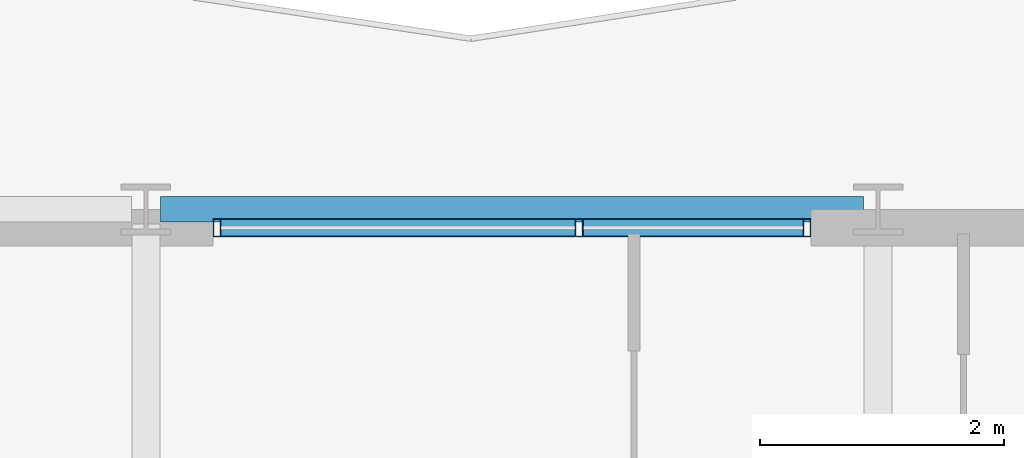
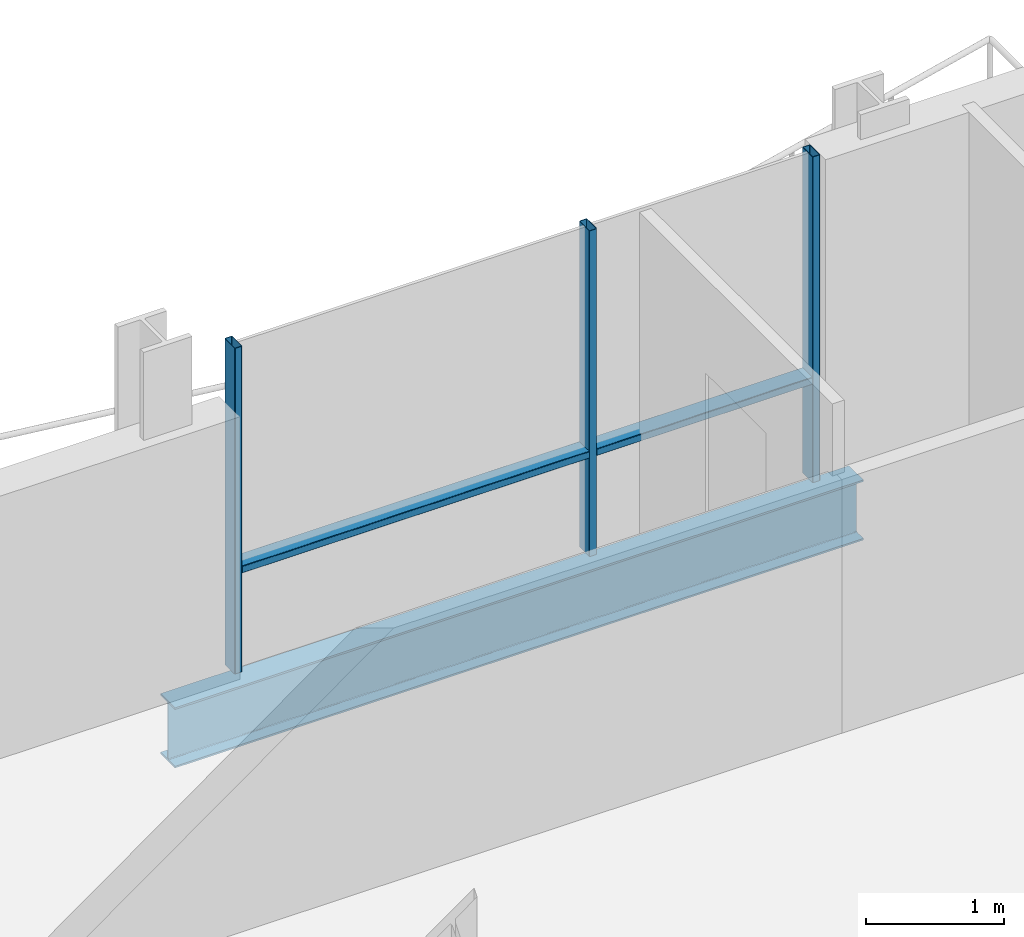
# One storey, part 26 of 41: 5 members, 1 beam, 1 element without a shape of its own.
"""IFC4 building model written with IfcOpenShell, lengths in metres."""

from ifc_helpers import new_model, si_unit, direction, frame, origin, origin_2d, place, context, subcontext, project, spatial, hollow_rectangle, i_section, extrude, material, layer, layer_set, material_profile, profile_set, type_object, element, aggregate, save


model = new_model("IFC4")

# Units and contexts
model_context = context("Model", 3, precision=1e-05, world=origin(), true_north=direction((0.0, 1.0)))
body_context = subcontext(model_context, "Body", "Model", "MODEL_VIEW")
ifc_project = project(units=[si_unit("LENGTHUNIT", "METRE"), si_unit("AREAUNIT", "SQUARE_METRE"), si_unit("VOLUMEUNIT", "CUBIC_METRE"), si_unit("PLANEANGLEUNIT", "RADIAN"), si_unit("MASSUNIT", "GRAM", prefix="KILO")], contexts=[model_context])

# Site, building, storey
site_placement = place(None, origin())
site = spatial("IfcSite", under=ifc_project, at=site_placement, CompositionType="ELEMENT")
building_placement = place(site_placement, origin())
building = spatial("IfcBuilding", under=site, at=building_placement, Name="Brevholm Reach", CompositionType="ELEMENT")
storey_placement = place(building_placement, frame((0.0, 0.0, 144.89990234375)))
storey = spatial("IfcBuildingStorey", under=building, at=storey_placement, Name="L43", CompositionType="ELEMENT", Elevation=144.89990234375)

# Beam
ifc_material_1 = material(Name="Structural Steel S355J2", Category="steel")
ifc_material_profile_1 = material_profile(ifc_material_1, i_section(OverallWidth=0.209228515625, OverallDepth=0.533203125, WebThickness=0.010009765625, FlangeThickness=0.015625, FilletRadius=0.0126953125, at=origin_2d()), Name="UKB 533x210x92")
ifc_profile_set_1 = profile_set([ifc_material_profile_1], Name="Structural Steel S355J2")
beam_type = type_object("IfcBeamType", Name="BM-SP533", PredefinedType="SPANDREL", material=ifc_profile_set_1)
beam_placement = place(storey_placement, frame((48.1201171875, 31.0, -0.486572265625), z_axis=(1.0, 0.0, 0.0), x_axis=(0.0, 1.0, 0.0)))
element("IfcBeam", 1, at=beam_placement, inside=storey, type_object=beam_type, Name="L43 SP-02 Framing Beam", PredefinedType="SPANDREL", context=body_context, shape_type="SweptSolid", body=[
    extrude(i_section(OverallWidth=0.209228515625, OverallDepth=0.533203125, WebThickness=0.010009765625, FlangeThickness=0.015625, FilletRadius=0.0126953125, at=origin_2d()), origin(), (0.0, 0.0, 1.0), 5.759765625),
])

# Curtain wall, members
ifc_material_2 = material(Name="Dark Anodised Aluminium 6063-T6 and Solar-Control Glass", Category="aluminium")
ifc_layer = layer(ifc_material_2, 0.14990234375)
ifc_layer_set = layer_set([ifc_layer], Name="Dark Anodised Aluminium 6063-T6 and Solar-Control Glass")
curtain_wall_type = type_object("IfcCurtainWallType", Name="CW-01", PredefinedType="NOTDEFINED", material=ifc_layer_set)
curtain_wall_placement = place(storey_placement, origin())
curtain_wall = element("IfcCurtainWall", 2, at=curtain_wall_placement, inside=storey, type_object=curtain_wall_type, Name="L43 Curtain Wall CW-01", PredefinedType="NOTDEFINED")
ifc_material_3 = material(Name="Dark Anodised Aluminium 6063-T6", Category="aluminium")
ifc_material_profile_2 = material_profile(ifc_material_3, hollow_rectangle(XDim=0.06494140625, YDim=0.14990234375, WallThickness=0.0048828125, InnerFilletRadius=0.0048828125, OuterFilletRadius=0.010009765625, at=origin_2d()), Name="RHS 150x65x5")
ifc_profile_set_2 = profile_set([ifc_material_profile_2], Name="Dark Anodised Aluminium 6063-T6")
member_type_1 = type_object("IfcMemberType", Name="CWM-150", PredefinedType="MULLION", material=ifc_profile_set_2)
member_1_placement = place(storey_placement, frame((48.58251953125, 30.85009765625, 0.0), z_axis=(0.0, 0.0, 1.0), x_axis=(1.0, 0.0, 0.0)))
member_1 = element("IfcMember", 3, at=member_1_placement, type_object=member_type_1, Name="CM-150 Mullion 1", PredefinedType="MULLION", context=body_context, shape_type="SweptSolid", body=[
    extrude(hollow_rectangle(XDim=0.06494140625, YDim=0.14990234375, WallThickness=0.0048828125, InnerFilletRadius=0.0048828125, OuterFilletRadius=0.010009765625, at=origin_2d()), origin(), (0.0, 0.0, 1.0), 2.880126953125),
])
member_2_placement = place(storey_placement, frame((51.550048828125, 30.85009765625, 0.0), z_axis=(0.0, 0.0, 1.0), x_axis=(1.0, 0.0, 0.0)))
member_2 = element("IfcMember", 4, at=member_2_placement, type_object=member_type_1, Name="CM-150 Mullion 2", PredefinedType="MULLION", context=body_context, shape_type="SweptSolid", body=[
    extrude(hollow_rectangle(XDim=0.06494140625, YDim=0.14990234375, WallThickness=0.0048828125, InnerFilletRadius=0.0048828125, OuterFilletRadius=0.010009765625, at=origin_2d()), origin(), (0.0, 0.0, 1.0), 2.880126953125),
])
member_3_placement = place(storey_placement, frame((53.41748046875, 30.85009765625, 0.0), z_axis=(0.0, 0.0, 1.0), x_axis=(1.0, 0.0, 0.0)))
member_3 = element("IfcMember", 5, at=member_3_placement, type_object=member_type_1, Name="CM-150 Mullion 3", PredefinedType="MULLION", context=body_context, shape_type="SweptSolid", body=[
    extrude(hollow_rectangle(XDim=0.06494140625, YDim=0.14990234375, WallThickness=0.0048828125, InnerFilletRadius=0.0048828125, OuterFilletRadius=0.010009765625, at=origin_2d()), origin(), (0.0, 0.0, 1.0), 2.880126953125),
])
ifc_material_4 = material(Name="Dark Anodised Aluminium 6063-T6", Category="aluminium")
ifc_material_profile_3 = material_profile(ifc_material_4, hollow_rectangle(XDim=0.06494140625, YDim=0.14990234375, WallThickness=0.0048828125, InnerFilletRadius=0.0048828125, OuterFilletRadius=0.010009765625, at=origin_2d()), Name="RHS 150x65x5")
ifc_profile_set_3 = profile_set([ifc_material_profile_3], Name="Dark Anodised Aluminium 6063-T6")
member_type_2 = type_object("IfcMemberType", Name="CWT-150", PredefinedType="NOTDEFINED", material=ifc_profile_set_3)
member_4_placement = place(storey_placement, frame((48.614990234375, 30.85009765625, 0.900146484375), z_axis=(1.0, 0.0, 0.0), x_axis=(0.0, 0.0, 1.0)))
member_4 = element("IfcMember", 6, at=member_4_placement, type_object=member_type_2, Name="CT-150 Transom 1.1", ObjectType="TRANSOM", PredefinedType="USERDEFINED", context=body_context, shape_type="SweptSolid", body=[
    extrude(hollow_rectangle(XDim=0.06494140625, YDim=0.14990234375, WallThickness=0.0048828125, InnerFilletRadius=0.0048828125, OuterFilletRadius=0.010009765625, at=origin_2d()), origin(), (0.0, 0.0, 1.0), 2.902587890625),
])
member_5_placement = place(storey_placement, frame((51.58251953125, 30.85009765625, 0.900146484375), z_axis=(1.0, 0.0, 0.0), x_axis=(0.0, 0.0, 1.0)))
member_5 = element("IfcMember", 7, at=member_5_placement, type_object=member_type_2, Name="CT-150 Transom 2.1", ObjectType="TRANSOM", PredefinedType="USERDEFINED", context=body_context, shape_type="SweptSolid", body=[
    extrude(hollow_rectangle(XDim=0.06494140625, YDim=0.14990234375, WallThickness=0.0048828125, InnerFilletRadius=0.0048828125, OuterFilletRadius=0.010009765625, at=origin_2d()), origin(), (0.0, 0.0, 1.0), 1.802490234375),
])
aggregate(curtain_wall, [member_1, member_2, member_3, member_4, member_5])

save(model, "model.ifc")
